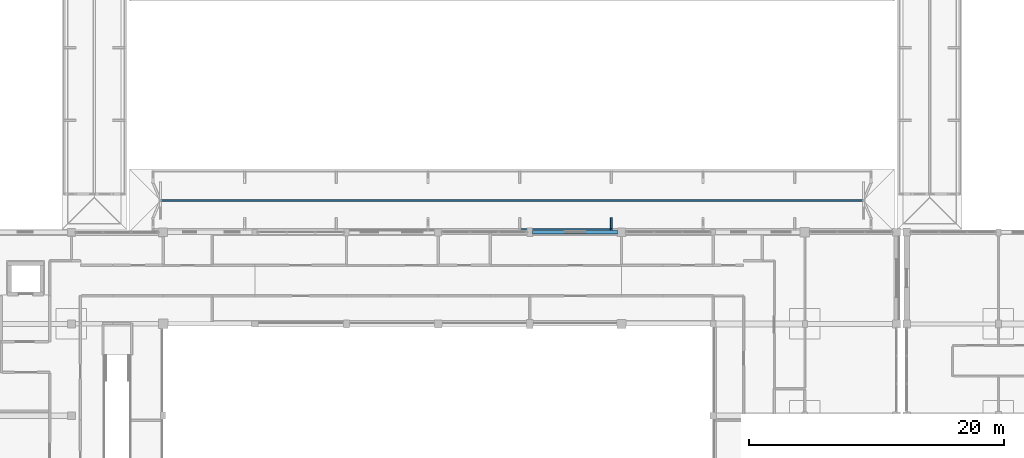
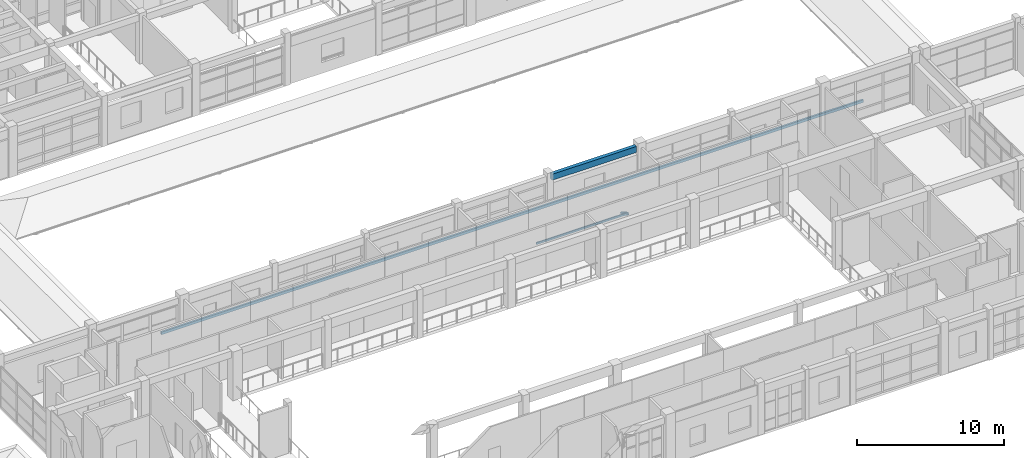
# One storey, part 17 of 110: 3 members, 1 beam.
"""IFC4 building model written with IfcOpenShell, lengths in metres."""

from ifc_helpers import new_model, si_unit, direction, frame, origin, origin_2d, place, context, subcontext, project, spatial, rectangle, hollow_rectangle, extrude, material, material_profile, profile_set, type_object, element, save


model = new_model("IFC4")

# Units and contexts
model_context = context("Model", 3, precision=1e-05, world=origin(), true_north=direction((0.0, 1.0)))
body_context = subcontext(model_context, "Body", "Model", "MODEL_VIEW")
ifc_project = project(units=[si_unit("LENGTHUNIT", "METRE"), si_unit("AREAUNIT", "SQUARE_METRE"), si_unit("VOLUMEUNIT", "CUBIC_METRE"), si_unit("PLANEANGLEUNIT", "RADIAN"), si_unit("MASSUNIT", "GRAM", prefix="KILO")], contexts=[model_context])

# Site, building, storey
site_placement = place(None, origin())
site = spatial("IfcSite", under=ifc_project, at=site_placement, CompositionType="ELEMENT")
building_placement = place(site_placement, origin())
building = spatial("IfcBuilding", under=site, at=building_placement, Name="Steenspoor Specialist Clinic", CompositionType="ELEMENT")
storey_placement = place(building_placement, frame((0.0, 0.0, 4.800048828125)))
storey = spatial("IfcBuildingStorey", under=building, at=storey_placement, Name="L01", CompositionType="ELEMENT", Elevation=4.800048828125)

# Members
ifc_material_1 = material(Name="Steel A500 Grade C", Category="steel")
ifc_material_profile_1 = material_profile(ifc_material_1, hollow_rectangle(XDim=0.1015625, YDim=0.15234375, WallThickness=0.005859375, at=origin_2d()), Name="HSS152X102X6.4")
ifc_profile_set_1 = profile_set([ifc_material_profile_1], Name="Steel A500 Grade C")
member_type_1 = type_object("IfcMemberType", Name="MEM-PURLIN-H152", PredefinedType="PURLIN", material=ifc_profile_set_1)
member_1_placement = place(storey_placement, frame((87.60009765625, 42.080078125, -1.571533203125), z_axis=(1.0, 0.0, 0.0), x_axis=(0.0, 1.0, 0.0)))
element("IfcMember", 1, at=member_1_placement, inside=storey, type_object=member_type_1, Name="Walkway Fascia WK5 604", PredefinedType="PURLIN", context=body_context, shape_type="SweptSolid", body=[
    extrude(hollow_rectangle(XDim=0.1015625, YDim=0.15234375, WallThickness=0.005859375, at=origin_2d()), origin(), (0.0, 0.0, 1.0), 7.199951171875),
])
ifc_material_2 = material(Name="Glulam GL28h", Category="wood")
ifc_material_profile_2 = material_profile(ifc_material_2, rectangle(XDim=0.139892578125, YDim=0.219970703125, at=origin_2d()), Name="GL28H-140X220")
ifc_profile_set_2 = profile_set([ifc_material_profile_2], Name="Glulam GL28h")
member_type_2 = type_object("IfcMemberType", Name="MEM-RAFTER-GL220", PredefinedType="RAFTER", material=ifc_profile_set_2)
member_2_placement = place(storey_placement, frame((94.800048828125, 42.949951171875, -2.114990234375), z_axis=(0.0, -0.865930570761, 0.500164219654), x_axis=(1.0, 0.0, 0.0)))
element("IfcMember", 2, at=member_2_placement, inside=storey, type_object=member_type_2, Name="Walkway Eave Outrigger WK5 437", PredefinedType="RAFTER", context=body_context, shape_type="SweptSolid", body=[
    extrude(rectangle(XDim=0.139892578125, YDim=0.219970703125, at=origin_2d()), origin(), (0.0, 0.0, 1.0), 1.004638671875),
])
member_3_placement = place(storey_placement, frame((59.39990234375, 44.35009765625, -0.520263671875), z_axis=(1.0, 0.0, 0.0), x_axis=(0.0, 1.0, 0.0)))
element("IfcMember", 3, at=member_3_placement, inside=storey, type_object=member_type_2, Name="Walkway Ridge Rafter WK5", PredefinedType="RAFTER", context=body_context, shape_type="SweptSolid", body=[
    extrude(rectangle(XDim=0.139892578125, YDim=0.219970703125, at=origin_2d()), origin(), (0.0, 0.0, 1.0), 55.2001953125),
])

# Beam
ifc_material_3 = material(Name="Concrete C35/45", Category="concrete")
ifc_material_profile_3 = material_profile(ifc_material_3, rectangle(XDim=0.280029296875, YDim=0.5, at=origin_2d()), Name="RC-SP-280X500")
ifc_profile_set_3 = profile_set([ifc_material_profile_3], Name="Concrete C35/45")
beam_type = type_object("IfcBeamType", Name="SP-RC-280X500", PredefinedType="SPANDREL", material=ifc_profile_set_3)
beam_placement = place(storey_placement, frame((88.6201171875, 41.85009765625, 3.784912109375), z_axis=(1.0, 0.0, 0.0), x_axis=(0.0, 1.0, 0.0)))
element("IfcBeam", 4, at=beam_placement, inside=storey, type_object=beam_type, Name="BM-V1-L01-X0150", PredefinedType="SPANDREL", context=body_context, shape_type="SweptSolid", body=[
    extrude(rectangle(XDim=0.280029296875, YDim=0.5, at=origin_2d()), origin(), (0.0, 0.0, 1.0), 6.659912109375),
])

save(model, "model.ifc")
